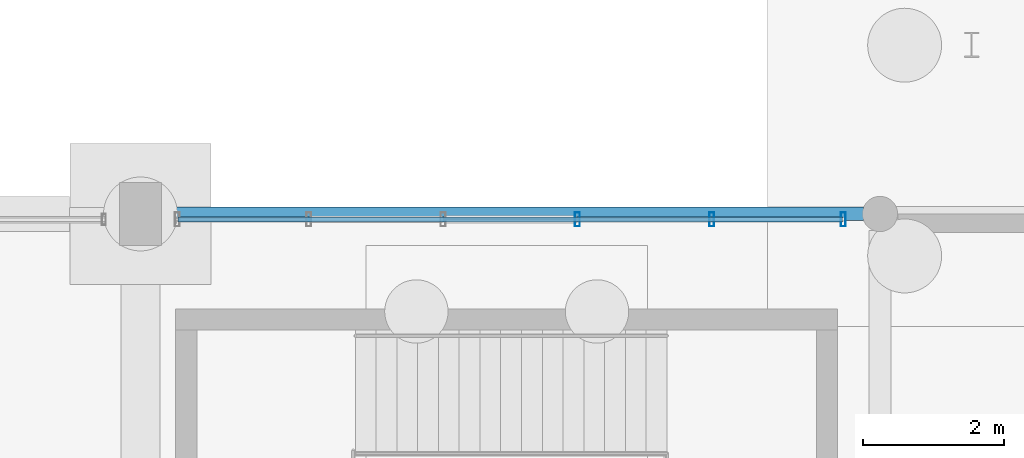
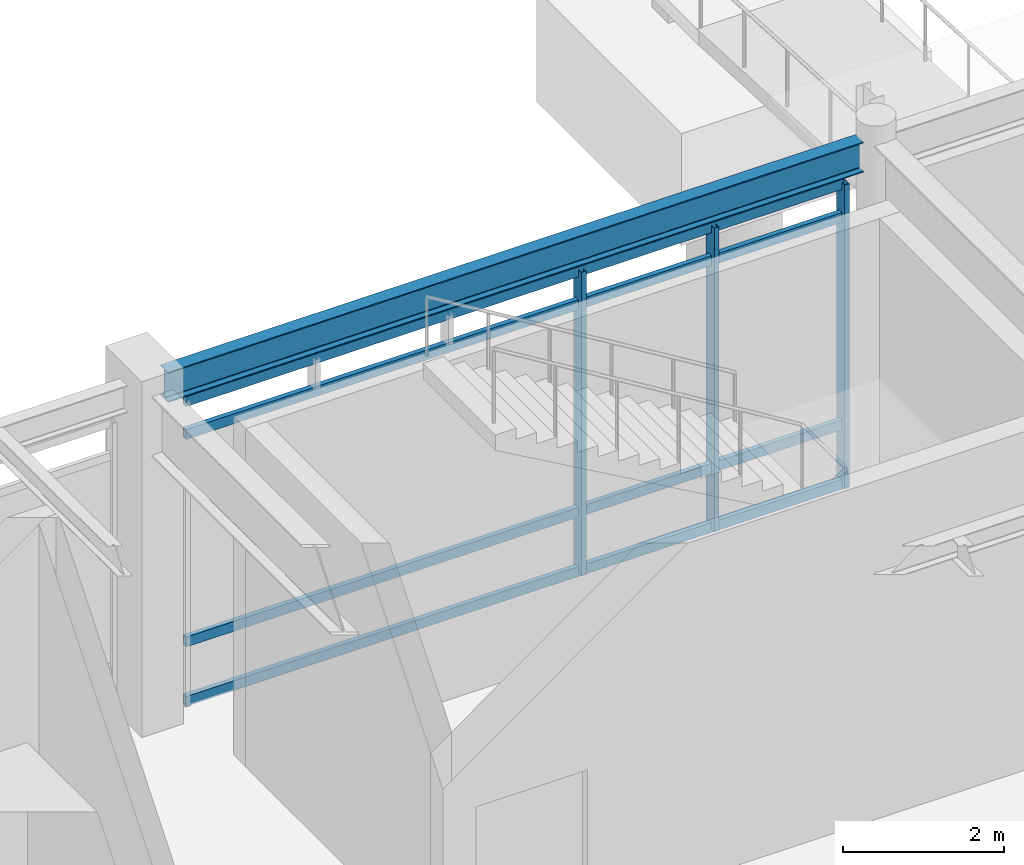
# One storey, part 147 of 203: 7 members, 1 beam, 1 element without a shape of its own.
"""IFC4 building model written with IfcOpenShell, lengths in metres."""

import ifcopenshell
import ifcopenshell.guid

model = None  # the IFC model being written
_history = None  # IfcOwnerHistory: only IFC2X3 demands one
_inside = {}  # id of a spatial element -> (the spatial element, [elements in it])
_under = {}  # id of a project, library or spatial element -> (it, [spatial elements below it])
_declared = {}  # id of a project -> (the project, [libraries it declares])
_typed = {}  # id of a type object -> (the type object, [elements of that type])
_made_of = {}  # id of a material, layer set ... -> (it, [elements and type objects made of it])


def new_model(schema):
    """Start an empty IFC model of exactly this schema.

    Asked for "IFC4X3", IfcOpenShell would pick the latest addendum, in which some entities
    have other attributes; the version numbers below select the first issue.
    IFC2X3 requires an IfcOwnerHistory on every rooted entity: one is made here for all.
    """
    global model, _history
    if schema == "IFC4X3":
        model = ifcopenshell.file(schema_version=(4, 3, 0, 0))
    else:
        model = ifcopenshell.file(schema=schema)
    _inside.clear()
    _under.clear()
    _declared.clear()
    _typed.clear()
    _made_of.clear()
    _history = None
    if model.schema == "IFC2X3":
        org = make("IfcOrganization", Name="unknown")
        user = make(
            "IfcPersonAndOrganization",
            ThePerson=make("IfcPerson", FamilyName="unknown"),
            TheOrganization=org,
        )
        app = make(
            "IfcApplication",
            ApplicationDeveloper=org,
            Version="unknown",
            ApplicationFullName="unknown",
            ApplicationIdentifier="unknown",
        )
        _history = make(
            "IfcOwnerHistory",
            OwningUser=user,
            OwningApplication=app,
            ChangeAction="ADDED",
            CreationDate=0,
        )
    return model


def make(cls, **values):
    """One entity of the class cls with the attributes given. An attribute that is None is left unset."""
    return model.create_entity(
        cls, **{name: value for name, value in values.items() if value is not None}
    )


def rooted(cls, **values):
    """An entity with a GlobalId (a new one), such as an element, a storey or a relation."""
    return make(cls, GlobalId=ifcopenshell.guid.new(), OwnerHistory=_history, **values)


def si_unit(unit_type, name, prefix=None):
    """IfcSIUnit, for example si_unit("LENGTHUNIT", "METRE", prefix="MILLI")."""
    return make("IfcSIUnit", UnitType=unit_type, Prefix=prefix, Name=name)


def assignment(units):
    """IfcUnitAssignment: the units of a project."""
    return None if units is None else make("IfcUnitAssignment", Units=units)


def point(xyz):
    """IfcCartesianPoint."""
    return None if xyz is None else make("IfcCartesianPoint", Coordinates=xyz)


def direction(xyz):
    """IfcDirection."""
    return None if xyz is None else make("IfcDirection", DirectionRatios=xyz)


def frame(location, z_axis=None, x_axis=None):
    """IfcAxis2Placement3D, a coordinate frame: its origin and axes. An axis left out is left unset."""
    return make(
        "IfcAxis2Placement3D",
        Location=point(location),
        Axis=direction(z_axis),
        RefDirection=direction(x_axis),
    )


def frame_2d(location, x_axis=None):
    """IfcAxis2Placement2D, a coordinate frame in the plane: its origin and x axis."""
    return make(
        "IfcAxis2Placement2D", Location=point(location), RefDirection=direction(x_axis)
    )


def origin():
    """The frame at (0, 0, 0) with its axes left unset."""
    return frame((0.0, 0.0, 0.0))


def origin_2d():
    """The frame at (0, 0) in the plane with its x axis left unset."""
    return frame_2d((0.0, 0.0))


def place(relative_to, where):
    """IfcLocalPlacement: puts the frame where relative to a parent placement (None: the world)."""
    return make(
        "IfcLocalPlacement", PlacementRelTo=relative_to, RelativePlacement=where
    )


def context(
    kind, dimensions, precision=None, world=None, true_north=None, identifier=None
):
    """IfcGeometricRepresentationContext, for example the 3D "Model" context."""
    return make(
        "IfcGeometricRepresentationContext",
        ContextIdentifier=identifier,
        ContextType=kind,
        CoordinateSpaceDimension=dimensions,
        Precision=precision,
        WorldCoordinateSystem=world,
        TrueNorth=true_north,
    )


def subcontext(parent, identifier, kind, view, scale=None):
    """IfcGeometricRepresentationSubContext, for example "Body" below "Model"."""
    return make(
        "IfcGeometricRepresentationSubContext",
        ContextIdentifier=identifier,
        ContextType=kind,
        ParentContext=parent,
        TargetScale=scale,
        TargetView=view,
    )


def project(units=None, contexts=None):
    """IfcProject with its units and contexts."""
    return rooted(
        "IfcProject",
        Name="project",
        RepresentationContexts=contexts,
        UnitsInContext=assignment(units),
    )


def spatial(cls, under=None, at=None, **own):
    """A site, building, storey or space (cls), placed at a placement, below another one or the project."""
    s = rooted(cls, ObjectPlacement=at, **own)
    if under is not None:
        _under.setdefault(under.id(), (under, []))[1].append(s)
    return s


def profile(cls, at=None, kind="AREA", **sizes):
    """A parametric profile (cls). Its sizes go by their IFC names, for example OverallWidth=200.0."""
    return make(cls, ProfileType=kind, Position=at, **sizes)


def hollow_rectangle(**sizes):
    """IfcRectangleHollowProfileDef."""
    return profile("IfcRectangleHollowProfileDef", **sizes)


def i_section(**sizes):
    """IfcIShapeProfileDef."""
    return profile("IfcIShapeProfileDef", **sizes)


def extrude(swept, where, along, depth):
    """IfcExtrudedAreaSolid: the profile swept, set in the frame where, extruded along a direction by depth."""
    return make(
        "IfcExtrudedAreaSolid",
        SweptArea=swept,
        Position=where,
        ExtrudedDirection=direction(along),
        Depth=depth,
    )


def shape(context_of_items, identifier, shape_type, items):
    """IfcShapeRepresentation: the items that make up one representation, for example the "Body"."""
    return make(
        "IfcShapeRepresentation",
        ContextOfItems=context_of_items,
        RepresentationIdentifier=identifier,
        RepresentationType=shape_type,
        Items=items,
    )


def material(Name=None, Category=None):
    """IfcMaterial."""
    return make("IfcMaterial", Name=Name, Category=Category)


def material_profile(
    of_material, cross_section, Name=None, Category=None, Priority=None
):
    """IfcMaterialProfile: a cross section and its material."""
    return make(
        "IfcMaterialProfile",
        Name=Name,
        Material=of_material,
        Profile=cross_section,
        Priority=Priority,
        Category=Category,
    )


def profile_set(profiles, Name=None, composite=None):
    """IfcMaterialProfileSet."""
    return make(
        "IfcMaterialProfileSet",
        Name=Name,
        MaterialProfiles=profiles,
        CompositeProfile=composite,
    )


def made_of(thing, what):
    """Note that an element or type object is made of a material, layer set ...; save() writes the relation."""
    if what is not None:
        _made_of.setdefault(what.id(), (what, []))[1].append(thing)
    return thing


def type_object(cls, material=None, **own):
    """A type object (cls), such as IfcWallType, which elements share."""
    return made_of(rooted(cls, **own), material)


def element(
    cls,
    number,
    at=None,
    inside=None,
    cuts=None,
    type_object=None,
    material=None,
    context=None,
    identifier="Body",
    shape_type=None,
    held_by="IfcProductDefinitionShape",
    body=None,
    shapes=None,
    **own,
):
    """One element of the class cls, such as IfcWall. Its Tag is "e" and its number.

    at: its placement. inside: the storey or other place that contains it. cuts: it is an
    opening in that element (IfcRelVoidsElement). A single representation is given by context,
    identifier, shape_type and body (its items); several are given by shapes. held_by: the class
    of the entity that holds the representations. save() writes the other relations.
    """
    e = rooted(cls, Tag="e%d" % number, ObjectPlacement=at, **own)
    if body is not None:
        shapes = [shape(context, identifier, shape_type, body)]
    if shapes is not None:
        e.Representation = make(held_by, Representations=shapes)
    if inside is not None:
        _inside.setdefault(inside.id(), (inside, []))[1].append(e)
    if cuts is not None:
        rooted(
            "IfcRelVoidsElement", RelatingBuildingElement=cuts, RelatedOpeningElement=e
        )
    if type_object is not None:
        _typed.setdefault(type_object.id(), (type_object, []))[1].append(e)
    return made_of(e, material)


def aggregate(whole, parts):
    """IfcRelAggregates: a whole, such as a stair, and the parts it consists of."""
    return rooted("IfcRelAggregates", RelatingObject=whole, RelatedObjects=parts)


def save(model, path):
    """Write the relations noted so far, then the file.

    IfcRelAggregates (storeys below a building ...), IfcRelContainedInSpatialStructure (elements
    in a storey), IfcRelDefinesByType, IfcRelAssociatesMaterial and IfcRelDeclares: one each for
    every whole, place, type object, material and project.
    """
    for whole, parts in _under.values():
        aggregate(whole, parts)
    for where, things in _inside.values():
        rooted(
            "IfcRelContainedInSpatialStructure",
            RelatedElements=things,
            RelatingStructure=where,
        )
    for kind, things in _typed.values():
        rooted("IfcRelDefinesByType", RelatedObjects=things, RelatingType=kind)
    for what, things in _made_of.values():
        rooted("IfcRelAssociatesMaterial", RelatedObjects=things, RelatingMaterial=what)
    for by, libraries in _declared.values():
        rooted("IfcRelDeclares", RelatingContext=by, RelatedDefinitions=libraries)
    model.write(path)


model = new_model("IFC4")

# Units and contexts
model_context = context("Model", 3, precision=1e-05, world=origin(), true_north=direction((0.0, 1.0)))
body_context = subcontext(model_context, "Body", "Model", "MODEL_VIEW")
ifc_project = project(units=[si_unit("LENGTHUNIT", "METRE"), si_unit("AREAUNIT", "SQUARE_METRE"), si_unit("VOLUMEUNIT", "CUBIC_METRE"), si_unit("PLANEANGLEUNIT", "RADIAN"), si_unit("MASSUNIT", "GRAM", prefix="KILO"), si_unit("THERMODYNAMICTEMPERATUREUNIT", "KELVIN"), si_unit("POWERUNIT", "WATT")], contexts=[model_context])

# Site, building, storey
site_placement = place(None, origin())
site = spatial("IfcSite", under=ifc_project, at=site_placement, CompositionType="ELEMENT")
building_placement = place(site_placement, origin())
building = spatial("IfcBuilding", under=site, at=building_placement, Name="Tepalcoro Natatorium and Aquatics Centre", CompositionType="ELEMENT")
storey_placement = place(building_placement, origin())
storey = spatial("IfcBuildingStorey", under=building, at=storey_placement, Name="L00", CompositionType="ELEMENT", Elevation=0.0)

# Curtain wall, members
ifc_material_1 = material(Name="Bronze-Anodised Extruded Aluminium Alloy EN AW-6063 T6", Category="aluminium")
curtain_wall_type = type_object("IfcCurtainWallType", Name="CW_V1_PLINTH", PredefinedType="USERDEFINED", material=ifc_material_1)
curtain_wall_placement = place(storey_placement, origin())
curtain_wall = element("IfcCurtainWall", 1, at=curtain_wall_placement, inside=storey, type_object=curtain_wall_type, Name="V5 L00 N Unitised Curtain Wall Bay 5", ObjectType="UNITISED STOREFRONT", PredefinedType="USERDEFINED")
ifc_material_profile_1 = material_profile(ifc_material_1, hollow_rectangle(XDim=0.070068359375, YDim=0.199951171875, WallThickness=0.0048828125, at=origin_2d()), Name="AL70X200X5")
ifc_profile_set_1 = profile_set([ifc_material_profile_1], Name="Bronze-Anodised Extruded Aluminium Alloy EN AW-6063 T6")
member_type_1 = type_object("IfcMemberType", Name="CW_MUL_70x200", PredefinedType="MULLION", material=ifc_profile_set_1)
member_1_placement = place(storey_placement, frame((137.7041015625, 117.923828125, 0.02001953125), z_axis=(0.0, 0.0, 1.0), x_axis=(1.0, 0.0, 0.0)))
member_1 = element("IfcMember", 2, at=member_1_placement, type_object=member_type_1, Name="CW_V1_PLINTH Curtain Wall Mullion", PredefinedType="MULLION", context=body_context, shape_type="SweptSolid", body=[
    extrude(hollow_rectangle(XDim=0.070068359375, YDim=0.199951171875, WallThickness=0.0048828125, at=origin_2d()), origin(), (0.0, 0.0, 1.0), 4.60986328125),
])
member_2_placement = place(storey_placement, frame((139.612060546875, 117.923828125, 0.02001953125), z_axis=(0.0, 0.0, 1.0), x_axis=(1.0, 0.0, 0.0)))
member_2 = element("IfcMember", 3, at=member_2_placement, type_object=member_type_1, Name="CW_V1_PLINTH Curtain Wall Mullion", PredefinedType="MULLION", context=body_context, shape_type="SweptSolid", body=[
    extrude(hollow_rectangle(XDim=0.070068359375, YDim=0.199951171875, WallThickness=0.0048828125, at=origin_2d()), origin(), (0.0, 0.0, 1.0), 4.60986328125),
])
member_3_placement = place(storey_placement, frame((141.47998046875, 117.923828125, 0.02001953125), z_axis=(0.0, 0.0, 1.0), x_axis=(1.0, 0.0, 0.0)))
member_3 = element("IfcMember", 4, at=member_3_placement, type_object=member_type_1, Name="CW_V1_PLINTH Curtain Wall Mullion", PredefinedType="MULLION", context=body_context, shape_type="SweptSolid", body=[
    extrude(hollow_rectangle(XDim=0.070068359375, YDim=0.199951171875, WallThickness=0.0048828125, at=origin_2d()), origin(), (0.0, 0.0, 1.0), 4.60986328125),
])
ifc_material_profile_2 = material_profile(ifc_material_1, hollow_rectangle(XDim=0.070068359375, YDim=0.14990234375, WallThickness=0.00390625, at=origin_2d()), Name="AL70X150X4")
ifc_profile_set_2 = profile_set([ifc_material_profile_2], Name="Bronze-Anodised Extruded Aluminium Alloy EN AW-6063 T6")
member_type_2 = type_object("IfcMemberType", Name="CW_TRN_70x150", PredefinedType="USERDEFINED", material=ifc_profile_set_2)
member_4_placement = place(storey_placement, frame((132.030029296875, 117.923828125, 0.050048828125), z_axis=(1.0, 0.0, 0.0), x_axis=(0.0, 1.0, 0.0)))
member_4 = element("IfcMember", 5, at=member_4_placement, type_object=member_type_2, Name="CW_V1_PLINTH Curtain Wall Transom", ObjectType="TRANSOM", PredefinedType="USERDEFINED", context=body_context, shape_type="SweptSolid", body=[
    extrude(hollow_rectangle(XDim=0.070068359375, YDim=0.14990234375, WallThickness=0.00390625, at=origin_2d()), origin(), (0.0, 0.0, 1.0), 9.43994140625),
])
member_5_placement = place(storey_placement, frame((132.030029296875, 117.923828125, 0.949951171875), z_axis=(1.0, 0.0, 0.0), x_axis=(0.0, 1.0, 0.0)))
member_5 = element("IfcMember", 6, at=member_5_placement, type_object=member_type_2, Name="CW_V1_PLINTH Curtain Wall Transom", ObjectType="TRANSOM", PredefinedType="USERDEFINED", context=body_context, shape_type="SweptSolid", body=[
    extrude(hollow_rectangle(XDim=0.070068359375, YDim=0.14990234375, WallThickness=0.00390625, at=origin_2d()), origin(), (0.0, 0.0, 1.0), 9.43994140625),
])
member_6_placement = place(storey_placement, frame((132.030029296875, 117.923828125, 4.10009765625), z_axis=(1.0, 0.0, 0.0), x_axis=(0.0, 1.0, 0.0)))
member_6 = element("IfcMember", 7, at=member_6_placement, type_object=member_type_2, Name="CW_V1_PLINTH Curtain Wall Transom", ObjectType="TRANSOM", PredefinedType="USERDEFINED", context=body_context, shape_type="SweptSolid", body=[
    extrude(hollow_rectangle(XDim=0.070068359375, YDim=0.14990234375, WallThickness=0.00390625, at=origin_2d()), origin(), (0.0, 0.0, 1.0), 9.43994140625),
])
member_7_placement = place(storey_placement, frame((132.030029296875, 117.923828125, 4.60009765625), z_axis=(1.0, 0.0, 0.0), x_axis=(0.0, 1.0, 0.0)))
member_7 = element("IfcMember", 8, at=member_7_placement, type_object=member_type_2, Name="CW_V1_PLINTH Curtain Wall Transom", ObjectType="TRANSOM", PredefinedType="USERDEFINED", context=body_context, shape_type="SweptSolid", body=[
    extrude(hollow_rectangle(XDim=0.070068359375, YDim=0.14990234375, WallThickness=0.00390625, at=origin_2d()), origin(), (0.0, 0.0, 1.0), 9.43994140625),
])
aggregate(curtain_wall, [member_1, member_2, member_3, member_4, member_5, member_6, member_7])

# Beam
ifc_material_2 = material(Name="Steel ASTM A992 Grade 50 (Fy 345 MPa)", Category="steel")
ifc_material_profile_3 = material_profile(ifc_material_2, i_section(OverallWidth=0.19091796875, OverallDepth=0.4599609375, WebThickness=0.010009765625, FlangeThickness=0.01611328125, FilletRadius=0.013916015625, at=origin_2d()), Name="W18X55")
ifc_profile_set_3 = profile_set([ifc_material_profile_3], Name="Steel ASTM A992 Grade 50 (Fy 345 MPa)")
beam_type = type_object("IfcBeamType", Name="SP_W18x55", PredefinedType="SPANDREL", material=ifc_profile_set_3)
beam_placement = place(storey_placement, frame((131.784912109375, 118.0, 4.89501953125), z_axis=(1.0, 0.0, 0.0), x_axis=(0.0, 1.0, 0.0)))
element("IfcBeam", 9, at=beam_placement, inside=storey, type_object=beam_type, Name="V5 L00 Grid Girder X", PredefinedType="SPANDREL", context=body_context, shape_type="SweptSolid", body=[
    extrude(i_section(OverallWidth=0.19091796875, OverallDepth=0.4599609375, WebThickness=0.010009765625, FlangeThickness=0.01611328125, FilletRadius=0.013916015625, at=origin_2d()), origin(), (0.0, 0.0, 1.0), 9.97998046875),
])

save(model, "model.ifc")
